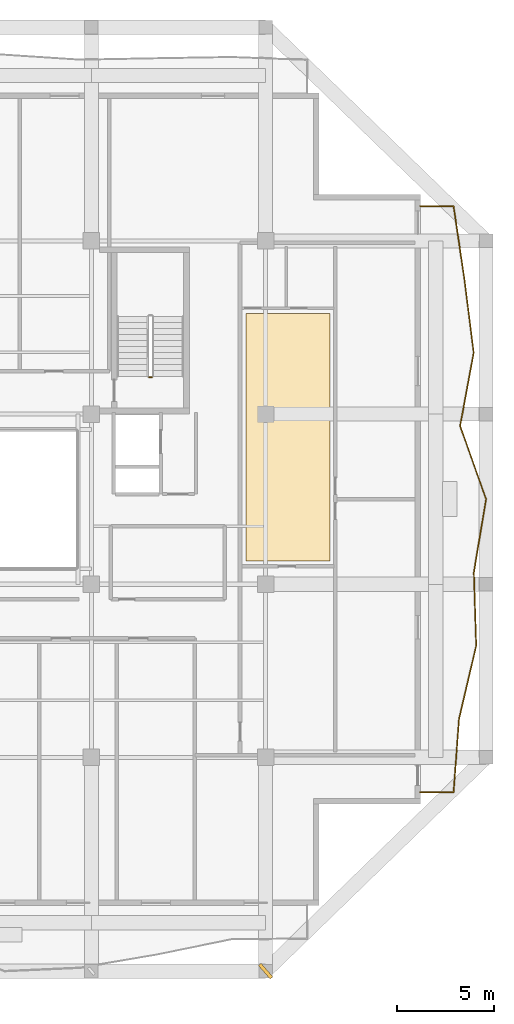
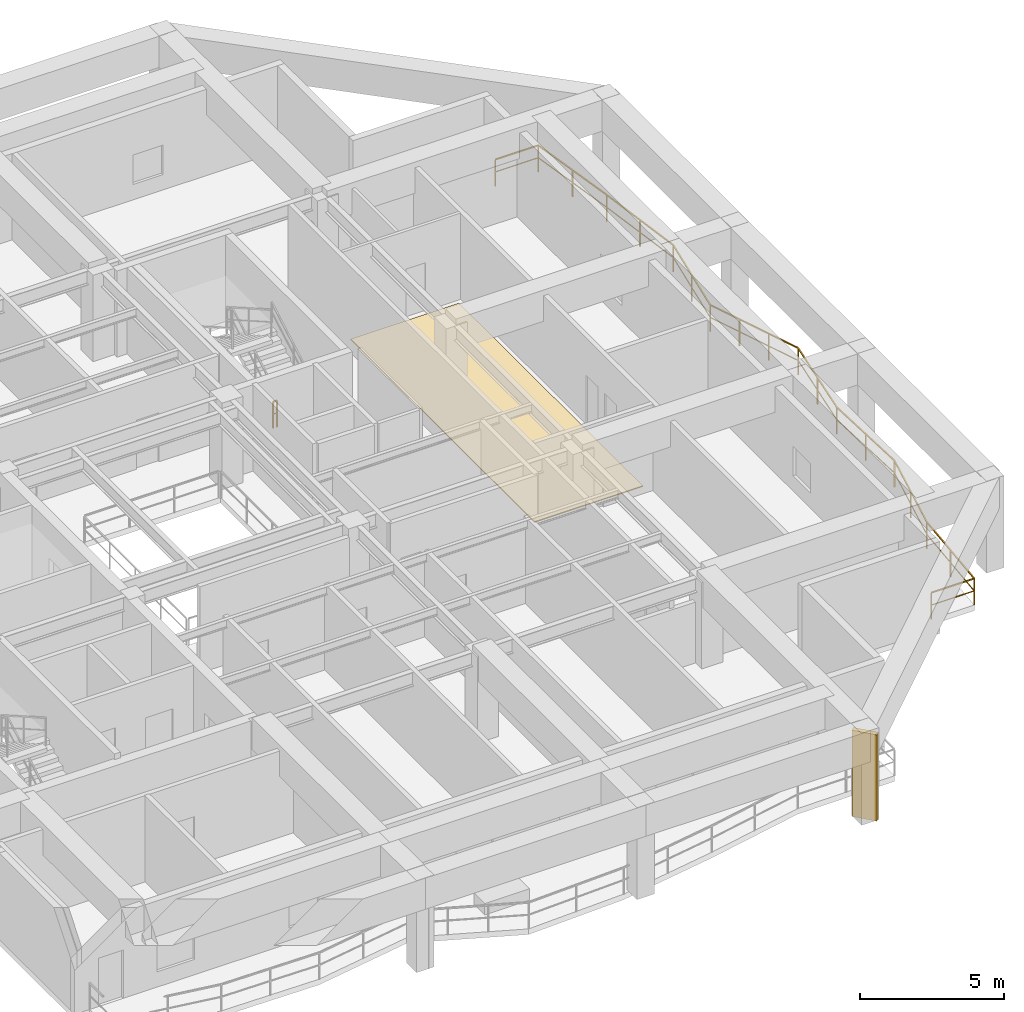
# One storey, part 9 of 11: 2 railings, 1 covering, 1 shading device.
"""IFC4 building model written with IfcOpenShell, lengths in metres."""

from ifc_helpers import new_model, si_unit, direction, frame, origin, origin_2d, place, context, subcontext, project, spatial, polyline, rectangle, outline, extrude, material, layer, layer_set, type_object, element, save


model = new_model("IFC4")

# Units and contexts
model_context = context("Model", 3, precision=1e-05, world=origin(), true_north=direction((0.0, 1.0)))
body_context = subcontext(model_context, "Body", "Model", "MODEL_VIEW")
ifc_project = project(units=[si_unit("LENGTHUNIT", "METRE"), si_unit("AREAUNIT", "SQUARE_METRE"), si_unit("VOLUMEUNIT", "CUBIC_METRE"), si_unit("PLANEANGLEUNIT", "RADIAN"), si_unit("MASSUNIT", "GRAM", prefix="KILO")], contexts=[model_context])

# Site, building, storey
site_placement = place(None, origin())
site = spatial("IfcSite", under=ifc_project, at=site_placement, CompositionType="ELEMENT")
building_placement = place(site_placement, origin())
building = spatial("IfcBuilding", under=site, at=building_placement, Name="Kundavana Baori Tower", CompositionType="ELEMENT")
storey_placement = place(building_placement, frame((0.0, 0.0, 268.699951171875)))
storey = spatial("IfcBuildingStorey", under=building, at=storey_placement, Name="L66", CompositionType="ELEMENT", Elevation=268.699951171875)

# Covering
ifc_material_1 = material(Name="Honed Kota Stone and Terrazzo Flooring", Category="masonry")
ifc_layer = layer(ifc_material_1, 0.0400390625, Name="COV-FLR-TERR-40")
ifc_layer_set = layer_set([ifc_layer], Name="Honed Kota Stone and Terrazzo Flooring")
covering_type = type_object("IfcCoveringType", Name="COV-FLR-TERR-40", PredefinedType="FLOORING", material=ifc_layer_set)
covering_placement = place(storey_placement, origin())
element("IfcCovering", 1, at=covering_placement, inside=storey, type_object=covering_type, Name="L66 Room Finished Stone Flooring 4", PredefinedType="FLOORING", context=body_context, shape_type="SweptSolid", body=[
    extrude(outline(polyline([(41.780029296875, 25.409912109375), (46.1298828125, 25.409912109375), (46.1298828125, 38.18994140625), (41.780029296875, 38.18994140625), (41.780029296875, 25.409912109375)])), origin(), (0.0, 0.0, 1.0), 0.0400390625),
])

# Railings
ifc_material_2 = material(Name="Architectural Patinated Bronze Metalwork")
railing_type_1 = type_object("IfcRailingType", Name="RL-BAL-1150", PredefinedType="BALUSTRADE", material=ifc_material_2)
railing_1_placement = place(storey_placement, frame((50.800048828125, 43.75, 0.0)))
element("IfcRailing", 2, at=railing_1_placement, inside=storey, type_object=railing_type_1, Name="L66 Loggia Balcony Balustrade E", PredefinedType="BALUSTRADE", context=body_context, shape_type="SweptSolid", body=[
    extrude(rectangle(XDim=0.048095703125, YDim=0.048095703125, at=origin_2d()), frame((0.0, 0.0, 1.1259765625), z_axis=(1.0, 0.0, 0.0), x_axis=(0.0, 1.0, 0.0)), (0.0, 0.0, 1.0), 1.719970703125),
    extrude(rectangle(XDim=0.03125, YDim=0.03125, at=origin_2d()), frame((0.0, 0.0, 0.597900390625), z_axis=(1.0, 0.0, 0.0), x_axis=(0.0, 1.0, 0.0)), (0.0, 0.0, 1.0), 1.719970703125),
    extrude(rectangle(XDim=0.048095703125, YDim=0.048095703125, at=origin_2d()), frame((1.719970703125, 0.0, 1.1259765625), z_axis=(0.146257514117, -0.989246551454, 0.0), x_axis=(0.989246551454, 0.146257514117, 0.0)), (0.0, 0.0, 1.0), 3.829345703125),
    extrude(rectangle(XDim=0.03125, YDim=0.03125, at=origin_2d()), frame((1.719970703125, 0.0, 0.597900390625), z_axis=(0.146257514117, -0.989246551454, 0.0), x_axis=(0.989246551454, 0.146257514117, 0.0)), (0.0, 0.0, 1.0), 3.829345703125),
    extrude(rectangle(XDim=0.048095703125, YDim=0.048095703125, at=origin_2d()), frame((2.280029296875, -3.7880859375, 1.1259765625), z_axis=(0.125994516645, -0.992030937912, 0.0), x_axis=(0.992030937912, 0.125994516645, 0.0)), (0.0, 0.0, 1.0), 3.8173828125),
    extrude(rectangle(XDim=0.03125, YDim=0.03125, at=origin_2d()), frame((2.280029296875, -3.7880859375, 0.597900390625), z_axis=(0.125994516645, -0.992030937912, 0.0), x_axis=(0.992030937912, 0.125994516645, 0.0)), (0.0, 0.0, 1.0), 3.8173828125),
    extrude(rectangle(XDim=0.048095703125, YDim=0.048095703125, at=origin_2d()), frame((2.760986328125, -7.574951171875, 1.1259765625), z_axis=(-0.18229807673, -0.983243312319, 0.0), x_axis=(0.983243312319, -0.18229807673, 0.0)), (0.0, 0.0, 1.0), 3.8515625),
    extrude(rectangle(XDim=0.03125, YDim=0.03125, at=origin_2d()), frame((2.760986328125, -7.574951171875, 0.597900390625), z_axis=(-0.18229807673, -0.983243312319, 0.0), x_axis=(0.983243312319, -0.18229807673, 0.0)), (0.0, 0.0, 1.0), 3.8515625),
    extrude(rectangle(XDim=0.048095703125, YDim=0.048095703125, at=origin_2d()), frame((2.058837890625, -11.362060546875, 1.1259765625), z_axis=(0.333744790945, -0.942663468326, 0.0), x_axis=(0.942663468326, 0.333744790945, 0.0)), (0.0, 0.0, 1.0), 4.018310546875),
    extrude(rectangle(XDim=0.03125, YDim=0.03125, at=origin_2d()), frame((2.058837890625, -11.362060546875, 0.597900390625), z_axis=(0.333744790945, -0.942663468326, 0.0), x_axis=(0.942663468326, 0.333744790945, 0.0)), (0.0, 0.0, 1.0), 4.018310546875),
    extrude(rectangle(XDim=0.048095703125, YDim=0.048095703125, at=origin_2d()), frame((3.39990234375, -15.14990234375, 1.1259765625), z_axis=(-0.164275274401, -0.986414534676, 0.0), x_axis=(0.986414534676, -0.164275274401, 0.0)), (0.0, 0.0, 1.0), 3.84033203125),
    extrude(rectangle(XDim=0.03125, YDim=0.03125, at=origin_2d()), frame((3.39990234375, -15.14990234375, 0.597900390625), z_axis=(-0.164275274401, -0.986414534676, 0.0), x_axis=(0.986414534676, -0.164275274401, 0.0)), (0.0, 0.0, 1.0), 3.84033203125),
    extrude(rectangle(XDim=0.048095703125, YDim=0.048095703125, at=origin_2d()), frame((2.76904296875, -18.93798828125, 1.1259765625), z_axis=(0.032152012133, -0.999482990408, 0.0), x_axis=(0.999482990408, 0.032152012133, 0.0)), (0.0, 0.0, 1.0), 3.7890625),
    extrude(rectangle(XDim=0.03125, YDim=0.03125, at=origin_2d()), frame((2.76904296875, -18.93798828125, 0.597900390625), z_axis=(0.032152012133, -0.999482990408, 0.0), x_axis=(0.999482990408, 0.032152012133, 0.0)), (0.0, 0.0, 1.0), 3.7890625),
    extrude(rectangle(XDim=0.048095703125, YDim=0.048095703125, at=origin_2d()), frame((2.890869140625, -22.72509765625, 1.1259765625), z_axis=(-0.228287078781, -0.97359386279, 0.0), x_axis=(0.97359386279, -0.228287078781, 0.0)), (0.0, 0.0, 1.0), 3.8896484375),
    extrude(rectangle(XDim=0.03125, YDim=0.03125, at=origin_2d()), frame((2.890869140625, -22.72509765625, 0.597900390625), z_axis=(-0.228287078781, -0.97359386279, 0.0), x_axis=(0.97359386279, -0.228287078781, 0.0)), (0.0, 0.0, 1.0), 3.8896484375),
    extrude(rectangle(XDim=0.048095703125, YDim=0.048095703125, at=origin_2d()), frame((2.0029296875, -26.511962890625, 1.1259765625), z_axis=(-0.07448956293, -0.997221793291, 0.0), x_axis=(0.997221793291, -0.07448956293, 0.0)), (0.0, 0.0, 1.0), 3.798583984375),
    extrude(rectangle(XDim=0.03125, YDim=0.03125, at=origin_2d()), frame((2.0029296875, -26.511962890625, 0.597900390625), z_axis=(-0.07448956293, -0.997221793291, 0.0), x_axis=(0.997221793291, -0.07448956293, 0.0)), (0.0, 0.0, 1.0), 3.798583984375),
    extrude(rectangle(XDim=0.048095703125, YDim=0.048095703125, at=origin_2d()), frame((1.719970703125, -30.300048828125, 1.1259765625), z_axis=(-1.0, 0.0, 0.0), x_axis=(0.0, -1.0, 0.0)), (0.0, 0.0, 1.0), 1.719970703125),
    extrude(rectangle(XDim=0.03125, YDim=0.03125, at=origin_2d()), frame((1.719970703125, -30.300048828125, 0.597900390625), z_axis=(-1.0, 0.0, 0.0), x_axis=(0.0, -1.0, 0.0)), (0.0, 0.0, 1.0), 1.719970703125),
    extrude(rectangle(XDim=0.0419921875, YDim=0.0419921875, at=origin_2d()), origin(), (0.0, 0.0, 1.0), 1.101806640625),
    extrude(rectangle(XDim=0.0419921875, YDim=0.0419921875, at=origin_2d()), frame((1.719970703125, 0.0, 0.0)), (0.0, 0.0, 1.0), 1.101806640625),
    extrude(rectangle(XDim=0.0419921875, YDim=0.0419921875, at=origin_2d()), frame((2.0, -1.89404296875, 0.0)), (0.0, 0.0, 1.0), 1.101806640625),
    extrude(rectangle(XDim=0.0419921875, YDim=0.0419921875, at=origin_2d()), frame((2.280029296875, -3.7880859375, 0.0)), (0.0, 0.0, 1.0), 1.101806640625),
    extrude(rectangle(XDim=0.0419921875, YDim=0.0419921875, at=origin_2d()), frame((2.5205078125, -5.681640625, 0.0)), (0.0, 0.0, 1.0), 1.101806640625),
    extrude(rectangle(XDim=0.0419921875, YDim=0.0419921875, at=origin_2d()), frame((2.760986328125, -7.574951171875, 0.0)), (0.0, 0.0, 1.0), 1.101806640625),
    extrude(rectangle(XDim=0.0419921875, YDim=0.0419921875, at=origin_2d()), frame((2.409912109375, -9.468505859375, 0.0)), (0.0, 0.0, 1.0), 1.101806640625),
    extrude(rectangle(XDim=0.0419921875, YDim=0.0419921875, at=origin_2d()), frame((2.058837890625, -11.362060546875, 0.0)), (0.0, 0.0, 1.0), 1.101806640625),
    extrude(rectangle(XDim=0.0419921875, YDim=0.0419921875, at=origin_2d()), frame((2.505859375, -12.624755859375, 0.0)), (0.0, 0.0, 1.0), 1.101806640625),
    extrude(rectangle(XDim=0.0419921875, YDim=0.0419921875, at=origin_2d()), frame((2.952880859375, -13.88720703125, 0.0)), (0.0, 0.0, 1.0), 1.101806640625),
    extrude(rectangle(XDim=0.0419921875, YDim=0.0419921875, at=origin_2d()), frame((3.39990234375, -15.14990234375, 0.0)), (0.0, 0.0, 1.0), 1.101806640625),
    extrude(rectangle(XDim=0.0419921875, YDim=0.0419921875, at=origin_2d()), frame((3.08447265625, -17.0439453125, 0.0)), (0.0, 0.0, 1.0), 1.101806640625),
    extrude(rectangle(XDim=0.0419921875, YDim=0.0419921875, at=origin_2d()), frame((2.76904296875, -18.93798828125, 0.0)), (0.0, 0.0, 1.0), 1.101806640625),
    extrude(rectangle(XDim=0.0419921875, YDim=0.0419921875, at=origin_2d()), frame((2.830078125, -20.83154296875, 0.0)), (0.0, 0.0, 1.0), 1.101806640625),
    extrude(rectangle(XDim=0.0419921875, YDim=0.0419921875, at=origin_2d()), frame((2.890869140625, -22.72509765625, 0.0)), (0.0, 0.0, 1.0), 1.101806640625),
    extrude(rectangle(XDim=0.0419921875, YDim=0.0419921875, at=origin_2d()), frame((2.44677734375, -24.61865234375, 0.0)), (0.0, 0.0, 1.0), 1.101806640625),
    extrude(rectangle(XDim=0.0419921875, YDim=0.0419921875, at=origin_2d()), frame((2.0029296875, -26.511962890625, 0.0)), (0.0, 0.0, 1.0), 1.101806640625),
    extrude(rectangle(XDim=0.0419921875, YDim=0.0419921875, at=origin_2d()), frame((1.861328125, -28.406005859375, 0.0)), (0.0, 0.0, 1.0), 1.101806640625),
    extrude(rectangle(XDim=0.0419921875, YDim=0.0419921875, at=origin_2d()), frame((1.719970703125, -30.300048828125, 0.0)), (0.0, 0.0, 1.0), 1.101806640625),
    extrude(rectangle(XDim=0.0419921875, YDim=0.0419921875, at=origin_2d()), frame((0.0, -30.300048828125, 0.0)), (0.0, 0.0, 1.0), 1.101806640625),
])
ifc_material_3 = material(Name="Architectural Patinated Bronze Metalwork")
railing_type_2 = type_object("IfcRailingType", Name="RL-GRD-1150", PredefinedType="GUARDRAIL", material=ifc_material_3)
railing_2_placement = place(storey_placement, frame((36.929931640625, 34.89990234375, 0.0)))
element("IfcRailing", 3, at=railing_2_placement, inside=storey, type_object=railing_type_2, Name="L66 ST3 stair guard 4", PredefinedType="GUARDRAIL", context=body_context, shape_type="SweptSolid", body=[
    extrude(rectangle(XDim=0.048095703125, YDim=0.048095703125, at=origin_2d()), frame((0.0, 0.0, 1.1259765625), z_axis=(-1.0, 0.0, 0.0), x_axis=(0.0, -1.0, 0.0)), (0.0, 0.0, 1.0), 0.159912109375),
    extrude(rectangle(XDim=0.03125, YDim=0.03125, at=origin_2d()), frame((0.0, 0.0, 0.597900390625), z_axis=(-1.0, 0.0, 0.0), x_axis=(0.0, -1.0, 0.0)), (0.0, 0.0, 1.0), 0.159912109375),
    extrude(rectangle(XDim=0.0419921875, YDim=0.0419921875, at=origin_2d()), origin(), (0.0, 0.0, 1.0), 1.101806640625),
    extrude(rectangle(XDim=0.0419921875, YDim=0.0419921875, at=origin_2d()), frame((-0.159912109375, 0.0, 0.0)), (0.0, 0.0, 1.0), 1.101806640625),
])

# Shading device
ifc_material_4 = material(Name="Red-Buff Dholpur Sandstone Cladding on Concrete C40/50", Category="masonry")
shading_device_type = type_object("IfcShadingDeviceType", Name="SHD-FIN-920", PredefinedType="JALOUSIE", material=ifc_material_4)
shading_device_placement = place(storey_placement, frame((42.800048828125, 4.199951171875, 0.0), z_axis=(0.0, 0.0, 1.0), x_axis=(0.752184937064, 0.658952062334, 0.0)))
element("IfcShadingDevice", 4, at=shading_device_placement, inside=storey, type_object=shading_device_type, Name="L66 Sweeping Dholpur Sandstone Facade Fin 4", PredefinedType="JALOUSIE", context=body_context, shape_type="SweptSolid", body=[
    extrude(rectangle(XDim=0.179931640625, YDim=0.919921875, at=origin_2d()), origin(), (0.0, 0.0, 1.0), 3.659912109375),
])

save(model, "model.ifc")
